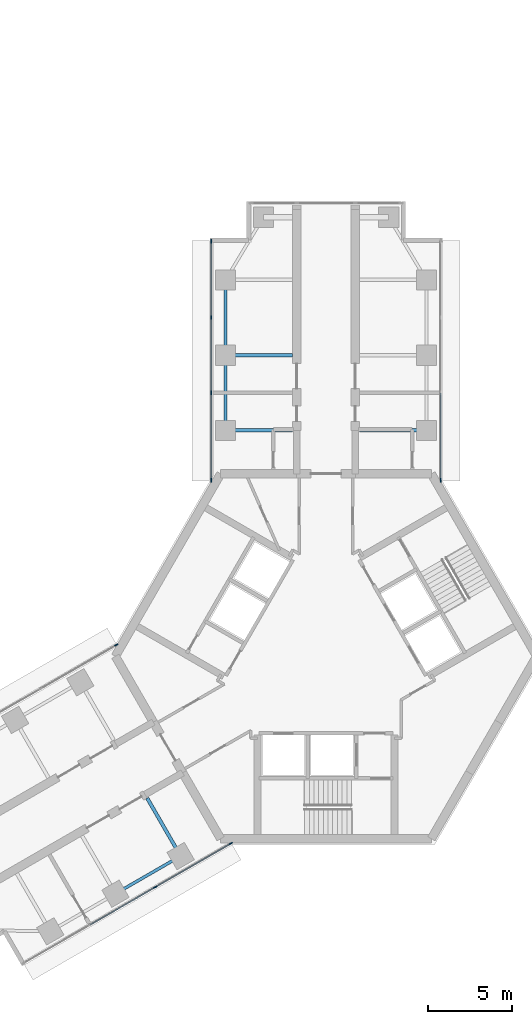
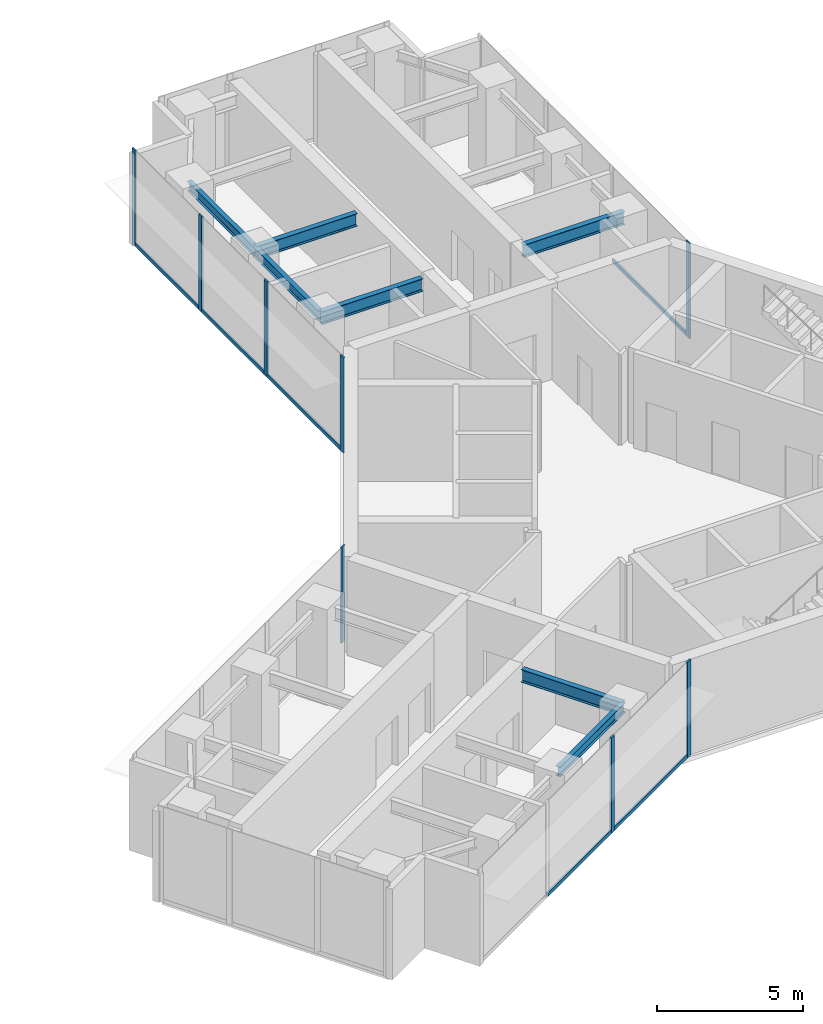
# One storey, part 8 of 17: 14 members, 7 beams, 4 elements without a shape of their own.
"""IFC4 building model written with IfcOpenShell, lengths in metres."""

from ifc_helpers import new_model, si_unit, direction, frame, origin, origin_2d, place, context, subcontext, project, spatial, rectangle, i_section, extrude, material, material_profile, profile_set, type_object, element, aggregate, save


model = new_model("IFC4")

# Units and contexts
model_context = context("Model", 3, precision=1e-05, world=origin(), true_north=direction((0.0, 1.0)))
body_context = subcontext(model_context, "Body", "Model", "MODEL_VIEW")
ifc_project = project(units=[si_unit("LENGTHUNIT", "METRE"), si_unit("AREAUNIT", "SQUARE_METRE"), si_unit("VOLUMEUNIT", "CUBIC_METRE"), si_unit("PLANEANGLEUNIT", "RADIAN"), si_unit("MASSUNIT", "GRAM", prefix="KILO")], contexts=[model_context])

# Site, building, storey
site_placement = place(None, origin())
site = spatial("IfcSite", under=ifc_project, at=site_placement, CompositionType="ELEMENT")
building_placement = place(site_placement, origin())
building = spatial("IfcBuilding", under=site, at=building_placement, Name="Upepo Twin Towers", CompositionType="ELEMENT")
storey_placement = place(building_placement, frame((0.0, 0.0, 182.5)))
storey = spatial("IfcBuildingStorey", under=building, at=storey_placement, Name="L44", CompositionType="ELEMENT", Elevation=182.5)

# Beams
ifc_material_1 = material(Name="Steel S355", Category="steel")
ifc_material_profile_1 = material_profile(ifc_material_1, i_section(OverallWidth=0.177978515625, OverallDepth=0.406494140625, WebThickness=0.0078125, FlangeThickness=0.0126953125, FilletRadius=0.01025390625, at=origin_2d()), Name="UB 406x178x60")
ifc_profile_set_1 = profile_set([ifc_material_profile_1], Name="Steel S355")
beam_type_1 = type_object("IfcBeamType", Name="Beam UB 406x178x60", PredefinedType="BEAM", material=ifc_profile_set_1)
for number, where, z_axis, x_axis, name in (
    (1, (52.5, -4.5, 3.5966796875), (0.0, 1.0, 0.0), (-1.0, 0.0, 0.0), "T2 edge beam AL 13.5-18.0"),
    (2, (52.5, 0.0, 3.5966796875), (0.0, 1.0, 0.0), (-1.0, 0.0, 0.0), "T2 edge beam AL 18.0-22.5"),
):
    element("IfcBeam", number, at=place(storey_placement, frame(where, z_axis=z_axis, x_axis=x_axis)), inside=storey, type_object=beam_type_1, Name=name, PredefinedType="BEAM", context=body_context, shape_type="SweptSolid", body=[
        extrude(i_section(OverallWidth=0.177978515625, OverallDepth=0.406494140625, WebThickness=0.0078125, FlangeThickness=0.0126953125, FilletRadius=0.01025390625, at=origin_2d()), origin(), (0.0, 0.0, 1.0), 4.5),
    ])
beam_placement = place(storey_placement, frame((49.80859375, -29.946044921875, 3.5966796875), z_axis=(-0.866017533419, -0.500013631625, 0.0), x_axis=(0.500013631625, -0.866017533419, 0.0)))
element("IfcBeam", 3, at=beam_placement, inside=storey, type_object=beam_type_1, Name="T2 edge beam BL 13.5-18.0", PredefinedType="BEAM", context=body_context, shape_type="SweptSolid", body=[
    extrude(i_section(OverallWidth=0.177978515625, OverallDepth=0.406494140625, WebThickness=0.0078125, FlangeThickness=0.0126953125, FilletRadius=0.01025390625, at=origin_2d()), origin(), (0.0, 0.0, 1.0), 4.499755859375),
])
ifc_material_2 = material(Name="Steel S355", Category="steel")
ifc_material_profile_2 = material_profile(ifc_material_2, i_section(OverallWidth=0.209228515625, OverallDepth=0.533203125, WebThickness=0.010009765625, FlangeThickness=0.015625, FilletRadius=0.0126953125, at=origin_2d()), Name="UB 533x210x92")
ifc_profile_set_2 = profile_set([ifc_material_profile_2], Name="Steel S355")
beam_type_2 = type_object("IfcBeamType", Name="Beam UB 533x210x92", PredefinedType="BEAM", material=ifc_profile_set_2)
for number, where, z_axis, x_axis, name in (
    (4, (52.5, -4.5, 3.533447265625), (1.0, 0.0, 0.0), (0.0, 1.0, 0.0), "T2 girder AL at 13.5"),
    (5, (52.5, 0.0, 3.533447265625), (1.0, 0.0, 0.0), (0.0, 1.0, 0.0), "T2 girder AL at 18.0"),
    (6, (64.5, -4.5, 3.533447265625), (-1.0, 0.0, 0.0), (0.0, -1.0, 0.0), "T2 girder AR at 13.5"),
    (7, (49.80859375, -29.946044921875, 3.533447265625), (-0.49999894854, 0.866026010844, 0.0), (-0.866026010844, -0.49999894854, 0.0), "T2 girder BL at 13.5"),
):
    element("IfcBeam", number, at=place(storey_placement, frame(where, z_axis=z_axis, x_axis=x_axis)), inside=storey, type_object=beam_type_2, Name=name, PredefinedType="BEAM", context=body_context, shape_type="SweptSolid", body=[
        extrude(i_section(OverallWidth=0.209228515625, OverallDepth=0.533203125, WebThickness=0.010009765625, FlangeThickness=0.015625, FilletRadius=0.0126953125, at=origin_2d()), origin(), (0.0, 0.0, 1.0), 4.0),
    ])

# Curtain wall, members
ifc_material_3 = material(Name="Aluminium and fritted glass", Category="aluminium")
curtain_wall_type = type_object("IfcCurtainWallType", Name="Tower curtain wall TW3, fritted glass", PredefinedType="NOTDEFINED", material=ifc_material_3)
curtain_wall_1_placement = place(storey_placement, origin())
curtain_wall_1 = element("IfcCurtainWall", 8, at=curtain_wall_1_placement, inside=storey, type_object=curtain_wall_type, Name="T2 L44 wing A flank L curtain wall", PredefinedType="NOTDEFINED")
ifc_material_4 = material(Name="Aluminium mullion", Category="aluminium")
ifc_material_profile_3 = material_profile(ifc_material_4, rectangle(XDim=0.06494140625, YDim=0.22509765625, at=origin_2d()), Name="MULLION 65x225")
ifc_profile_set_3 = profile_set([ifc_material_profile_3], Name="Aluminium mullion")
member_type_1 = type_object("IfcMemberType", Name="Mullion 65x225 TW3", PredefinedType="MULLION", material=ifc_profile_set_3)
member_1_placement = place(storey_placement, frame((51.64990234375, -7.48046875, 0.0), z_axis=(0.0, 0.0, 1.0), x_axis=(-1.0, 0.0, 0.0)))
member_1 = element("IfcMember", 9, at=member_1_placement, type_object=member_type_1, Name="T2 L44 wing A flank L curtain wall mullion 1", PredefinedType="MULLION", context=body_context, shape_type="SweptSolid", body=[
    extrude(rectangle(XDim=0.06494140625, YDim=0.22509765625, at=origin_2d()), origin(), (0.0, 0.0, 1.0), 4.0),
])
member_2_placement = place(storey_placement, frame((51.64990234375, -2.25, 0.0), z_axis=(0.0, 0.0, 1.0), x_axis=(-1.0, 0.0, 0.0)))
member_2 = element("IfcMember", 10, at=member_2_placement, type_object=member_type_1, Name="T2 L44 wing A flank L curtain wall mullion 2", PredefinedType="MULLION", context=body_context, shape_type="SweptSolid", body=[
    extrude(rectangle(XDim=0.06494140625, YDim=0.22509765625, at=origin_2d()), origin(), (0.0, 0.0, 1.0), 4.0),
])
member_3_placement = place(storey_placement, frame((51.64990234375, 2.25, 0.0), z_axis=(0.0, 0.0, 1.0), x_axis=(-1.0, 0.0, 0.0)))
member_3 = element("IfcMember", 11, at=member_3_placement, type_object=member_type_1, Name="T2 L44 wing A flank L curtain wall mullion 3", PredefinedType="MULLION", context=body_context, shape_type="SweptSolid", body=[
    extrude(rectangle(XDim=0.06494140625, YDim=0.22509765625, at=origin_2d()), origin(), (0.0, 0.0, 1.0), 4.0),
])
member_4_placement = place(storey_placement, frame((51.64990234375, 6.8173828125, 0.0), z_axis=(0.0, 0.0, 1.0), x_axis=(-1.0, 0.0, 0.0)))
member_4 = element("IfcMember", 12, at=member_4_placement, type_object=member_type_1, Name="T2 L44 wing A flank L curtain wall mullion 4", PredefinedType="MULLION", context=body_context, shape_type="SweptSolid", body=[
    extrude(rectangle(XDim=0.06494140625, YDim=0.22509765625, at=origin_2d()), origin(), (0.0, 0.0, 1.0), 4.0),
])

# Curtain wall, member
curtain_wall_2_placement = place(storey_placement, origin())
curtain_wall_2 = element("IfcCurtainWall", 13, at=curtain_wall_2_placement, inside=storey, type_object=curtain_wall_type, Name="T2 L44 wing A flank R curtain wall", PredefinedType="NOTDEFINED")
member_5_placement = place(storey_placement, frame((65.35009765625, -7.48046875, 0.0), z_axis=(0.0, 0.0, 1.0), x_axis=(1.0, 0.0, 0.0)))
member_5 = element("IfcMember", 14, at=member_5_placement, type_object=member_type_1, Name="T2 L44 wing A flank R curtain wall mullion 4", PredefinedType="MULLION", context=body_context, shape_type="SweptSolid", body=[
    extrude(rectangle(XDim=0.06494140625, YDim=0.22509765625, at=origin_2d()), origin(), (0.0, 0.0, 1.0), 4.0),
])

# Curtain wall, members
curtain_wall_3_placement = place(storey_placement, origin())
curtain_wall_3 = element("IfcCurtainWall", 15, at=curtain_wall_3_placement, inside=storey, type_object=curtain_wall_type, Name="T2 L44 wing B flank L curtain wall", PredefinedType="NOTDEFINED")
member_6_placement = place(storey_placement, frame((52.814697265625, -29.192138671875, 0.0), z_axis=(0.0, 0.0, 1.0), x_axis=(0.500000026527, -0.866025388469, 0.0)))
member_6 = element("IfcMember", 16, at=member_6_placement, type_object=member_type_1, Name="T2 L44 wing B flank L curtain wall mullion 1", PredefinedType="MULLION", context=body_context, shape_type="SweptSolid", body=[
    extrude(rectangle(XDim=0.06494140625, YDim=0.22509765625, at=origin_2d()), origin(), (0.0, 0.0, 1.0), 4.0),
])
member_7_placement = place(storey_placement, frame((48.28515625, -31.807373046875, 0.0), z_axis=(0.0, 0.0, 1.0), x_axis=(0.500000026527, -0.866025388469, 0.0)))
member_7 = element("IfcMember", 17, at=member_7_placement, type_object=member_type_1, Name="T2 L44 wing B flank L curtain wall mullion 2", PredefinedType="MULLION", context=body_context, shape_type="SweptSolid", body=[
    extrude(rectangle(XDim=0.06494140625, YDim=0.22509765625, at=origin_2d()), origin(), (0.0, 0.0, 1.0), 4.0),
])

# Curtain wall, member
curtain_wall_4_placement = place(storey_placement, origin())
curtain_wall_4 = element("IfcCurtainWall", 18, at=curtain_wall_4_placement, inside=storey, type_object=curtain_wall_type, Name="T2 L44 wing B flank R curtain wall", PredefinedType="NOTDEFINED")
member_8_placement = place(storey_placement, frame((45.96484375, -17.32763671875, 0.0), z_axis=(0.0, 0.0, 1.0), x_axis=(-0.500000026527, 0.866025388469, 0.0)))
member_8 = element("IfcMember", 19, at=member_8_placement, type_object=member_type_1, Name="T2 L44 wing B flank R curtain wall mullion 4", PredefinedType="MULLION", context=body_context, shape_type="SweptSolid", body=[
    extrude(rectangle(XDim=0.06494140625, YDim=0.22509765625, at=origin_2d()), origin(), (0.0, 0.0, 1.0), 4.0),
])
aggregate(curtain_wall_4, [member_8])

# Member
ifc_material_5 = material(Name="Aluminium transom", Category="aluminium")
ifc_material_profile_4 = material_profile(ifc_material_5, rectangle(XDim=0.06494140625, YDim=0.14990234375, at=origin_2d()), Name="TRANSOM 65x150")
ifc_profile_set_4 = profile_set([ifc_material_profile_4], Name="Aluminium transom")
member_type_2 = type_object("IfcMemberType", Name="Transom 65x150 TW3", PredefinedType="USERDEFINED", material=ifc_profile_set_4)
member_9_placement = place(storey_placement, frame((51.64990234375, -7.447998046875, 0.074951171875), z_axis=(0.0, 1.0, 0.0), x_axis=(-1.0, 0.0, 0.0)))
member_9 = element("IfcMember", 20, at=member_9_placement, type_object=member_type_2, Name="T2 L44 wing A flank L curtain wall transom 1", ObjectType="TRANSOM", PredefinedType="USERDEFINED", context=body_context, shape_type="SweptSolid", body=[
    extrude(rectangle(XDim=0.06494140625, YDim=0.14990234375, at=origin_2d()), origin(), (0.0, 0.0, 1.0), 5.16552734375),
])

member_10_placement = place(storey_placement, frame((51.64990234375, -2.217529296875, 0.074951171875), z_axis=(0.0, 1.0, 0.0), x_axis=(-1.0, 0.0, 0.0)))
member_10 = element("IfcMember", 21, at=member_10_placement, type_object=member_type_2, Name="T2 L44 wing A flank L curtain wall transom 2", ObjectType="TRANSOM", PredefinedType="USERDEFINED", context=body_context, shape_type="SweptSolid", body=[
    extrude(rectangle(XDim=0.06494140625, YDim=0.14990234375, at=origin_2d()), origin(), (0.0, 0.0, 1.0), 4.43505859375),
])

member_11_placement = place(storey_placement, frame((51.64990234375, 2.282470703125, 0.074951171875), z_axis=(0.0, 1.0, 0.0), x_axis=(-1.0, 0.0, 0.0)))
member_11 = element("IfcMember", 22, at=member_11_placement, type_object=member_type_2, Name="T2 L44 wing A flank L curtain wall transom 3", ObjectType="TRANSOM", PredefinedType="USERDEFINED", context=body_context, shape_type="SweptSolid", body=[
    extrude(rectangle(XDim=0.06494140625, YDim=0.14990234375, at=origin_2d()), origin(), (0.0, 0.0, 1.0), 4.50244140625),
])

aggregate(curtain_wall_1, [member_1, member_2, member_3, member_4, member_9, member_10, member_11])

member_12_placement = place(storey_placement, frame((65.35009765625, -2.282470703125, 0.074951171875), z_axis=(0.0, -1.0, 0.0), x_axis=(1.0, 0.0, 0.0)))
member_12 = element("IfcMember", 23, at=member_12_placement, type_object=member_type_2, Name="T2 L44 wing A flank R curtain wall transom 3", ObjectType="TRANSOM", PredefinedType="USERDEFINED", context=body_context, shape_type="SweptSolid", body=[
    extrude(rectangle(XDim=0.06494140625, YDim=0.14990234375, at=origin_2d()), origin(), (0.0, 0.0, 1.0), 5.16552734375),
])

aggregate(curtain_wall_2, [member_5, member_12])

member_13_placement = place(storey_placement, frame((52.78662109375, -29.208251953125, 0.074951171875), z_axis=(-0.86602108507, -0.500007480159, 0.0), x_axis=(0.500007480159, -0.86602108507, 0.0)))
member_13 = element("IfcMember", 24, at=member_13_placement, type_object=member_type_2, Name="T2 L44 wing B flank L curtain wall transom 1", ObjectType="TRANSOM", PredefinedType="USERDEFINED", context=body_context, shape_type="SweptSolid", body=[
    extrude(rectangle(XDim=0.06494140625, YDim=0.14990234375, at=origin_2d()), origin(), (0.0, 0.0, 1.0), 5.16552734375),
])

member_14_placement = place(storey_placement, frame((48.2568359375, -31.823486328125, 0.074951171875), z_axis=(-0.866022410713, -0.500005184116, 0.0), x_axis=(0.500005184116, -0.866022410713, 0.0)))
member_14 = element("IfcMember", 25, at=member_14_placement, type_object=member_type_2, Name="T2 L44 wing B flank L curtain wall transom 2", ObjectType="TRANSOM", PredefinedType="USERDEFINED", context=body_context, shape_type="SweptSolid", body=[
    extrude(rectangle(XDim=0.06494140625, YDim=0.14990234375, at=origin_2d()), origin(), (0.0, 0.0, 1.0), 4.43505859375),
])

aggregate(curtain_wall_3, [member_6, member_7, member_13, member_14])

save(model, "model.ifc")
